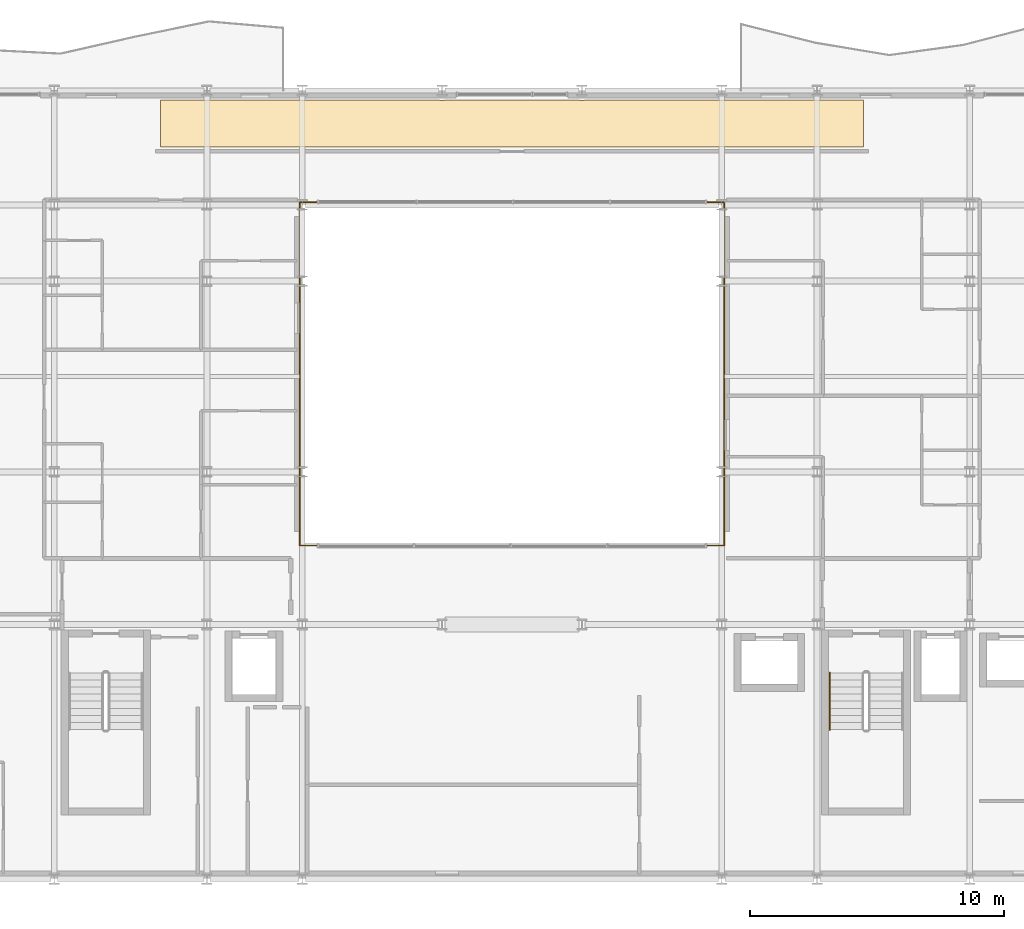
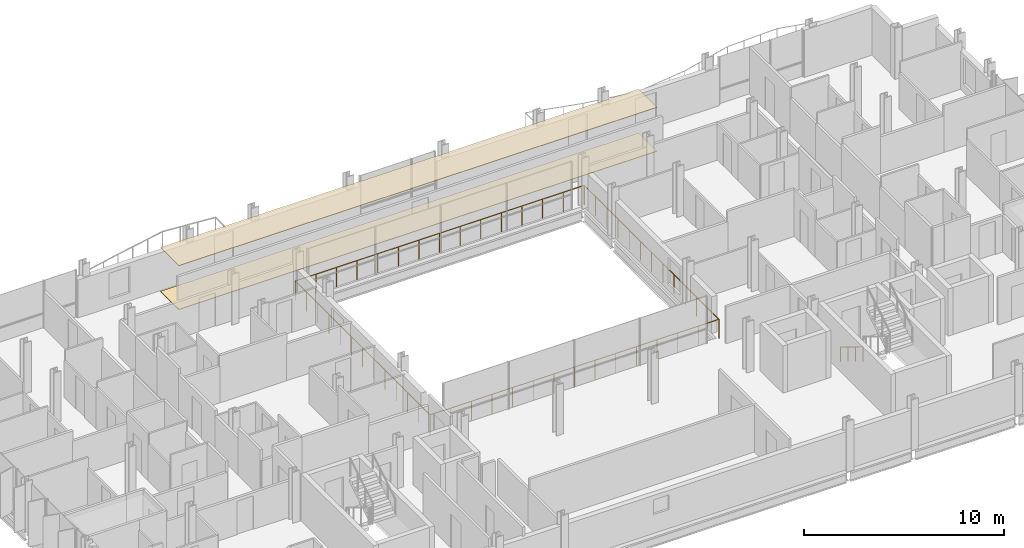
# One storey, part 36 of 38: 3 railings, 2 coverings.
"""IFC4 building model written with IfcOpenShell, lengths in metres."""

from ifc_helpers import new_model, si_unit, direction, frame, origin, origin_2d, place, context, subcontext, project, spatial, polyline, circle, outline, extrude, material, layer, layer_set, type_object, element, save


model = new_model("IFC4")

# Units and contexts
model_context = context("Model", 3, precision=1e-05, world=origin(), true_north=direction((0.0, 1.0)))
body_context = subcontext(model_context, "Body", "Model", "MODEL_VIEW")
ifc_project = project(units=[si_unit("LENGTHUNIT", "METRE"), si_unit("AREAUNIT", "SQUARE_METRE"), si_unit("VOLUMEUNIT", "CUBIC_METRE"), si_unit("PLANEANGLEUNIT", "RADIAN"), si_unit("MASSUNIT", "GRAM", prefix="KILO")], contexts=[model_context])

# Site, building, storey
site_placement = place(None, origin())
site = spatial("IfcSite", under=ifc_project, at=site_placement, CompositionType="ELEMENT")
building_placement = place(site_placement, origin())
building = spatial("IfcBuilding", under=site, at=building_placement, Name="Brevholm Reach", CompositionType="ELEMENT")
storey_placement = place(building_placement, frame((0.0, 0.0, 128.300048828125)))
storey = spatial("IfcBuildingStorey", under=building, at=storey_placement, Name="L38", CompositionType="ELEMENT", Elevation=128.300048828125)

# Coverings
ifc_material_1 = material(Name="Moisture-Resistant Skimmed Gypsum Plasterboard Ceiling", Category="gypsum")
ifc_layer_1 = layer(ifc_material_1, 0.030029296875)
ifc_layer_set_1 = layer_set([ifc_layer_1], Name="Moisture-Resistant Skimmed Gypsum Plasterboard Ceiling")
covering_type_1 = type_object("IfcCoveringType", Name="COV-CLG-GYP", PredefinedType="CEILING", material=ifc_layer_set_1)
covering_1_placement = place(storey_placement, frame((0.0, 0.0, 2.679931640625)))
element("IfcCovering", 1, at=covering_1_placement, inside=storey, type_object=covering_type_1, Name="L38 Suspended Ceiling L38-74", PredefinedType="CEILING", context=body_context, shape_type="SweptSolid", body=[
    extrude(outline(polyline([(16.179931640625, 30.6201171875), (17.876220703125, 30.6201171875), (17.8837890625, 30.6171875), (17.922119140625, 30.607666015625), (17.960693359375, 30.601806640625), (18.0, 30.60009765625), (18.039306640625, 30.601806640625), (18.077880859375, 30.607666015625), (18.1162109375, 30.6171875), (18.123779296875, 30.6201171875), (21.626220703125, 30.6201171875), (21.6337890625, 30.6171875), (21.672119140625, 30.607666015625), (21.710693359375, 30.601806640625), (21.75, 30.60009765625), (21.789306640625, 30.601806640625), (21.827880859375, 30.607666015625), (21.8662109375, 30.6171875), (21.873779296875, 30.6201171875), (27.126220703125, 30.6201171875), (27.1337890625, 30.6171875), (27.172119140625, 30.607666015625), (27.210693359375, 30.601806640625), (27.25, 30.60009765625), (27.289306640625, 30.601806640625), (27.327880859375, 30.607666015625), (27.3662109375, 30.6171875), (27.373779296875, 30.6201171875), (32.626220703125, 30.6201171875), (32.6337890625, 30.6171875), (32.672119140625, 30.607666015625), (32.710693359375, 30.601806640625), (32.75, 30.60009765625), (32.789306640625, 30.601806640625), (32.827880859375, 30.607666015625), (32.8662109375, 30.6171875), (32.873779296875, 30.6201171875), (38.126220703125, 30.6201171875), (38.1337890625, 30.6171875), (38.172119140625, 30.607666015625), (38.210693359375, 30.601806640625), (38.25, 30.60009765625), (38.289306640625, 30.601806640625), (38.327880859375, 30.607666015625), (38.3662109375, 30.6171875), (38.373779296875, 30.6201171875), (41.876220703125, 30.6201171875), (41.8837890625, 30.6171875), (41.922119140625, 30.607666015625), (41.960693359375, 30.601806640625), (42.0, 30.60009765625), (42.039306640625, 30.601806640625), (42.077880859375, 30.607666015625), (42.1162109375, 30.6171875), (42.123779296875, 30.6201171875), (43.820068359375, 30.6201171875), (43.820068359375, 28.783935546875), (16.179931640625, 28.783935546875), (16.179931640625, 30.6201171875)])), origin(), (0.0, 0.0, 1.0), 0.030029296875),
])
ifc_material_2 = material(Name="Honed Portland-Aggregate Resin Terrazzo Flooring", Category="concrete")
ifc_layer_2 = layer(ifc_material_2, 0.031982421875)
ifc_layer_set_2 = layer_set([ifc_layer_2], Name="Honed Portland-Aggregate Resin Terrazzo Flooring")
covering_type_2 = type_object("IfcCoveringType", Name="COV-FLR-TRZ", PredefinedType="FLOORING", material=ifc_layer_set_2)
covering_2_placement = place(storey_placement, origin())
element("IfcCovering", 2, at=covering_2_placement, inside=storey, type_object=covering_type_2, Name="L38 Floor Finish L38-74", PredefinedType="FLOORING", context=body_context, shape_type="SweptSolid", body=[
    extrude(outline(polyline([(16.179931640625, 30.6201171875), (17.876220703125, 30.6201171875), (17.8837890625, 30.6171875), (17.922119140625, 30.607666015625), (17.960693359375, 30.601806640625), (18.0, 30.60009765625), (18.039306640625, 30.601806640625), (18.077880859375, 30.607666015625), (18.1162109375, 30.6171875), (18.123779296875, 30.6201171875), (21.626220703125, 30.6201171875), (21.6337890625, 30.6171875), (21.672119140625, 30.607666015625), (21.710693359375, 30.601806640625), (21.75, 30.60009765625), (21.789306640625, 30.601806640625), (21.827880859375, 30.607666015625), (21.8662109375, 30.6171875), (21.873779296875, 30.6201171875), (27.126220703125, 30.6201171875), (27.1337890625, 30.6171875), (27.172119140625, 30.607666015625), (27.210693359375, 30.601806640625), (27.25, 30.60009765625), (27.289306640625, 30.601806640625), (27.327880859375, 30.607666015625), (27.3662109375, 30.6171875), (27.373779296875, 30.6201171875), (32.626220703125, 30.6201171875), (32.6337890625, 30.6171875), (32.672119140625, 30.607666015625), (32.710693359375, 30.601806640625), (32.75, 30.60009765625), (32.789306640625, 30.601806640625), (32.827880859375, 30.607666015625), (32.8662109375, 30.6171875), (32.873779296875, 30.6201171875), (38.126220703125, 30.6201171875), (38.1337890625, 30.6171875), (38.172119140625, 30.607666015625), (38.210693359375, 30.601806640625), (38.25, 30.60009765625), (38.289306640625, 30.601806640625), (38.327880859375, 30.607666015625), (38.3662109375, 30.6171875), (38.373779296875, 30.6201171875), (41.876220703125, 30.6201171875), (41.8837890625, 30.6171875), (41.922119140625, 30.607666015625), (41.960693359375, 30.601806640625), (42.0, 30.60009765625), (42.039306640625, 30.601806640625), (42.077880859375, 30.607666015625), (42.1162109375, 30.6171875), (42.123779296875, 30.6201171875), (43.820068359375, 30.6201171875), (43.820068359375, 28.783935546875), (16.179931640625, 28.783935546875), (16.179931640625, 30.6201171875)])), origin(), (0.0, 0.0, 1.0), 0.031982421875),
])

# Railings
ifc_material_3 = material(Name="Brushed Stainless Steel EN 1.4401 Continuous Handrail", Category="steel")
railing_type_1 = type_object("IfcRailingType", Name="RAL-HND-950", PredefinedType="HANDRAIL", material=ifc_material_3)
railing_1_placement = place(storey_placement, frame((42.5, 8.10009765625, 0.172119140625)))
element("IfcRailing", 3, at=railing_1_placement, inside=storey, type_object=railing_type_1, Name="L38 ST-2 stair handrail 1", PredefinedType="HANDRAIL", context=body_context, shape_type="SweptSolid", body=[
    extrude(circle(Radius=0.02392578125, at=origin_2d()), frame((0.0, 0.0, 0.8857421875), z_axis=(0.0, -0.851747552033, 0.523952390591), x_axis=(1.0, 0.0, 0.0)), (0.0, 0.0, 1.0), 2.6298828125),
    extrude(circle(Radius=0.02099609375, at=origin_2d()), origin(), (0.0, 0.0, 1.0), 0.86181640625),
    extrude(circle(Radius=0.02099609375, at=origin_2d()), frame((0.0, -0.74658203125, 0.459228515625)), (0.0, 0.0, 1.0), 0.86181640625),
    extrude(circle(Radius=0.02099609375, at=origin_2d()), frame((0.0, -1.493408203125, 0.918701171875)), (0.0, 0.0, 1.0), 0.86181640625),
    extrude(circle(Radius=0.02099609375, at=origin_2d()), frame((0.0, -2.239990234375, 1.3779296875)), (0.0, 0.0, 1.0), 0.86181640625),
])
ifc_material_4 = material(Name="Brushed Stainless Steel EN 1.4401 and Laminated Glass", Category="steel")
railing_type_2 = type_object("IfcRailingType", Name="RAL-TERR-1200", PredefinedType="BALUSTRADE", material=ifc_material_4)
railing_2_placement = place(storey_placement, frame((21.64990234375, 13.10009765625, 0.0)))
element("IfcRailing", 4, at=railing_2_placement, inside=storey, type_object=railing_type_2, Name="L38 Guard Balustrade RAL-L38-AT-VOID-SW", PredefinedType="BALUSTRADE", context=body_context, shape_type="SweptSolid", body=[
    extrude(circle(Radius=0.02392578125, at=origin_2d()), frame((0.0, 0.0, 1.17578125), z_axis=(1.0, 0.0, 0.0), x_axis=(0.0, 1.0, 0.0)), (0.0, 0.0, 1.0), 16.7001953125),
    extrude(circle(Radius=0.02392578125, at=origin_2d()), frame((16.7001953125, 0.0, 1.17578125), z_axis=(0.0, 1.0, 0.0), x_axis=(-1.0, 0.0, 0.0)), (0.0, 0.0, 1.0), 13.47998046875),
    extrude(circle(Radius=0.02099609375, at=origin_2d()), origin(), (0.0, 0.0, 1.0), 1.15185546875),
    extrude(circle(Radius=0.02099609375, at=origin_2d()), frame((1.19287109375, 0.0, 0.0)), (0.0, 0.0, 1.0), 1.15185546875),
    extrude(circle(Radius=0.02099609375, at=origin_2d()), frame((2.3857421875, 0.0, 0.0)), (0.0, 0.0, 1.0), 1.15185546875),
    extrude(circle(Radius=0.02099609375, at=origin_2d()), frame((3.57861328125, 0.0, 0.0)), (0.0, 0.0, 1.0), 1.15185546875),
    extrude(circle(Radius=0.02099609375, at=origin_2d()), frame((4.771484375, 0.0, 0.0)), (0.0, 0.0, 1.0), 1.15185546875),
    extrude(circle(Radius=0.02099609375, at=origin_2d()), frame((5.96435546875, 0.0, 0.0)), (0.0, 0.0, 1.0), 1.15185546875),
    extrude(circle(Radius=0.02099609375, at=origin_2d()), frame((7.1572265625, 0.0, 0.0)), (0.0, 0.0, 1.0), 1.15185546875),
    extrude(circle(Radius=0.02099609375, at=origin_2d()), frame((8.35009765625, 0.0, 0.0)), (0.0, 0.0, 1.0), 1.15185546875),
    extrude(circle(Radius=0.02099609375, at=origin_2d()), frame((9.54296875, 0.0, 0.0)), (0.0, 0.0, 1.0), 1.15185546875),
    extrude(circle(Radius=0.02099609375, at=origin_2d()), frame((10.73583984375, 0.0, 0.0)), (0.0, 0.0, 1.0), 1.15185546875),
    extrude(circle(Radius=0.02099609375, at=origin_2d()), frame((11.9287109375, 0.0, 0.0)), (0.0, 0.0, 1.0), 1.15185546875),
    extrude(circle(Radius=0.02099609375, at=origin_2d()), frame((13.12158203125, 0.0, 0.0)), (0.0, 0.0, 1.0), 1.15185546875),
    extrude(circle(Radius=0.02099609375, at=origin_2d()), frame((14.314453125, 0.0, 0.0)), (0.0, 0.0, 1.0), 1.15185546875),
    extrude(circle(Radius=0.02099609375, at=origin_2d()), frame((15.50732421875, 0.0, 0.0)), (0.0, 0.0, 1.0), 1.15185546875),
    extrude(circle(Radius=0.02099609375, at=origin_2d()), frame((16.7001953125, 0.0, 0.0)), (0.0, 0.0, 1.0), 1.15185546875),
    extrude(circle(Radius=0.02099609375, at=origin_2d()), frame((16.7001953125, 1.123291015625, 0.0)), (0.0, 0.0, 1.0), 1.15185546875),
    extrude(circle(Radius=0.02099609375, at=origin_2d()), frame((16.7001953125, 2.24658203125, 0.0)), (0.0, 0.0, 1.0), 1.15185546875),
    extrude(circle(Radius=0.02099609375, at=origin_2d()), frame((16.7001953125, 3.3701171875, 0.0)), (0.0, 0.0, 1.0), 1.15185546875),
    extrude(circle(Radius=0.02099609375, at=origin_2d()), frame((16.7001953125, 4.493408203125, 0.0)), (0.0, 0.0, 1.0), 1.15185546875),
    extrude(circle(Radius=0.02099609375, at=origin_2d()), frame((16.7001953125, 5.61669921875, 0.0)), (0.0, 0.0, 1.0), 1.15185546875),
    extrude(circle(Radius=0.02099609375, at=origin_2d()), frame((16.7001953125, 6.739990234375, 0.0)), (0.0, 0.0, 1.0), 1.15185546875),
    extrude(circle(Radius=0.02099609375, at=origin_2d()), frame((16.7001953125, 7.86328125, 0.0)), (0.0, 0.0, 1.0), 1.15185546875),
    extrude(circle(Radius=0.02099609375, at=origin_2d()), frame((16.7001953125, 8.986572265625, 0.0)), (0.0, 0.0, 1.0), 1.15185546875),
    extrude(circle(Radius=0.02099609375, at=origin_2d()), frame((16.7001953125, 10.10986328125, 0.0)), (0.0, 0.0, 1.0), 1.15185546875),
    extrude(circle(Radius=0.02099609375, at=origin_2d()), frame((16.7001953125, 11.2333984375, 0.0)), (0.0, 0.0, 1.0), 1.15185546875),
    extrude(circle(Radius=0.02099609375, at=origin_2d()), frame((16.7001953125, 12.356689453125, 0.0)), (0.0, 0.0, 1.0), 1.15185546875),
    extrude(circle(Radius=0.02099609375, at=origin_2d()), frame((16.7001953125, 13.47998046875, 0.0)), (0.0, 0.0, 1.0), 1.15185546875),
])
railing_3_placement = place(storey_placement, frame((38.330078125, 26.60009765625, 0.0)))
element("IfcRailing", 5, at=railing_3_placement, inside=storey, type_object=railing_type_2, Name="L38 Guard Balustrade RAL-L38-AT-VOID-NE", PredefinedType="BALUSTRADE", context=body_context, shape_type="SweptSolid", body=[
    extrude(circle(Radius=0.02392578125, at=origin_2d()), frame((0.0, 0.0, 1.17578125), z_axis=(-1.0, 0.0, 0.0), x_axis=(0.0, -1.0, 0.0)), (0.0, 0.0, 1.0), 16.68017578125),
    extrude(circle(Radius=0.02392578125, at=origin_2d()), frame((-16.68017578125, 0.0, 1.17578125), z_axis=(0.0, -1.0, 0.0), x_axis=(1.0, 0.0, 0.0)), (0.0, 0.0, 1.0), 13.47998046875),
    extrude(circle(Radius=0.02099609375, at=origin_2d()), origin(), (0.0, 0.0, 1.0), 1.15185546875),
    extrude(circle(Radius=0.02099609375, at=origin_2d()), frame((-1.19140625, 0.0, 0.0)), (0.0, 0.0, 1.0), 1.15185546875),
    extrude(circle(Radius=0.02099609375, at=origin_2d()), frame((-2.3828125, 0.0, 0.0)), (0.0, 0.0, 1.0), 1.15185546875),
    extrude(circle(Radius=0.02099609375, at=origin_2d()), frame((-3.57421875, 0.0, 0.0)), (0.0, 0.0, 1.0), 1.15185546875),
    extrude(circle(Radius=0.02099609375, at=origin_2d()), frame((-4.765869140625, 0.0, 0.0)), (0.0, 0.0, 1.0), 1.15185546875),
    extrude(circle(Radius=0.02099609375, at=origin_2d()), frame((-5.957275390625, 0.0, 0.0)), (0.0, 0.0, 1.0), 1.15185546875),
    extrude(circle(Radius=0.02099609375, at=origin_2d()), frame((-7.148681640625, 0.0, 0.0)), (0.0, 0.0, 1.0), 1.15185546875),
    extrude(circle(Radius=0.02099609375, at=origin_2d()), frame((-8.340087890625, 0.0, 0.0)), (0.0, 0.0, 1.0), 1.15185546875),
    extrude(circle(Radius=0.02099609375, at=origin_2d()), frame((-9.531494140625, 0.0, 0.0)), (0.0, 0.0, 1.0), 1.15185546875),
    extrude(circle(Radius=0.02099609375, at=origin_2d()), frame((-10.722900390625, 0.0, 0.0)), (0.0, 0.0, 1.0), 1.15185546875),
    extrude(circle(Radius=0.02099609375, at=origin_2d()), frame((-11.914306640625, 0.0, 0.0)), (0.0, 0.0, 1.0), 1.15185546875),
    extrude(circle(Radius=0.02099609375, at=origin_2d()), frame((-13.10595703125, 0.0, 0.0)), (0.0, 0.0, 1.0), 1.15185546875),
    extrude(circle(Radius=0.02099609375, at=origin_2d()), frame((-14.29736328125, 0.0, 0.0)), (0.0, 0.0, 1.0), 1.15185546875),
    extrude(circle(Radius=0.02099609375, at=origin_2d()), frame((-15.48876953125, 0.0, 0.0)), (0.0, 0.0, 1.0), 1.15185546875),
    extrude(circle(Radius=0.02099609375, at=origin_2d()), frame((-16.68017578125, 0.0, 0.0)), (0.0, 0.0, 1.0), 1.15185546875),
    extrude(circle(Radius=0.02099609375, at=origin_2d()), frame((-16.68017578125, -1.123291015625, 0.0)), (0.0, 0.0, 1.0), 1.15185546875),
    extrude(circle(Radius=0.02099609375, at=origin_2d()), frame((-16.68017578125, -2.24658203125, 0.0)), (0.0, 0.0, 1.0), 1.15185546875),
    extrude(circle(Radius=0.02099609375, at=origin_2d()), frame((-16.68017578125, -3.3701171875, 0.0)), (0.0, 0.0, 1.0), 1.15185546875),
    extrude(circle(Radius=0.02099609375, at=origin_2d()), frame((-16.68017578125, -4.493408203125, 0.0)), (0.0, 0.0, 1.0), 1.15185546875),
    extrude(circle(Radius=0.02099609375, at=origin_2d()), frame((-16.68017578125, -5.61669921875, 0.0)), (0.0, 0.0, 1.0), 1.15185546875),
    extrude(circle(Radius=0.02099609375, at=origin_2d()), frame((-16.68017578125, -6.739990234375, 0.0)), (0.0, 0.0, 1.0), 1.15185546875),
    extrude(circle(Radius=0.02099609375, at=origin_2d()), frame((-16.68017578125, -7.86328125, 0.0)), (0.0, 0.0, 1.0), 1.15185546875),
    extrude(circle(Radius=0.02099609375, at=origin_2d()), frame((-16.68017578125, -8.986572265625, 0.0)), (0.0, 0.0, 1.0), 1.15185546875),
    extrude(circle(Radius=0.02099609375, at=origin_2d()), frame((-16.68017578125, -10.10986328125, 0.0)), (0.0, 0.0, 1.0), 1.15185546875),
    extrude(circle(Radius=0.02099609375, at=origin_2d()), frame((-16.68017578125, -11.2333984375, 0.0)), (0.0, 0.0, 1.0), 1.15185546875),
    extrude(circle(Radius=0.02099609375, at=origin_2d()), frame((-16.68017578125, -12.356689453125, 0.0)), (0.0, 0.0, 1.0), 1.15185546875),
    extrude(circle(Radius=0.02099609375, at=origin_2d()), frame((-16.68017578125, -13.47998046875, 0.0)), (0.0, 0.0, 1.0), 1.15185546875),
])

save(model, "model.ifc")
